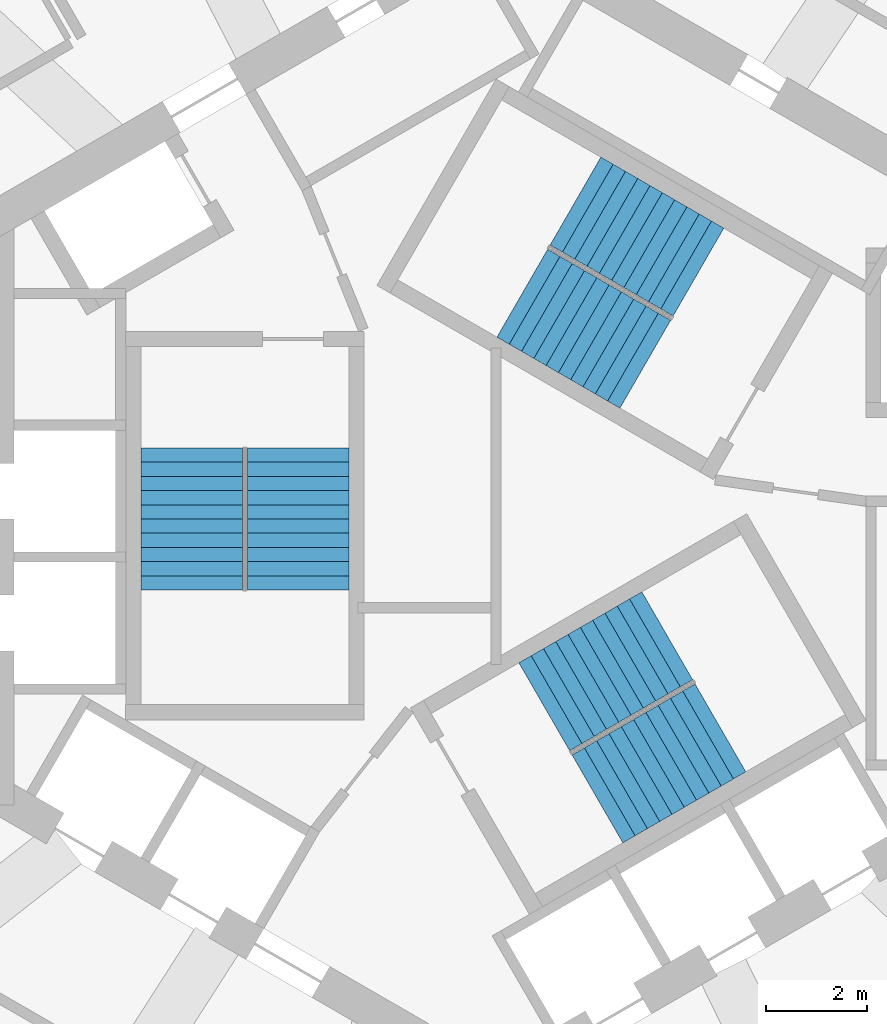
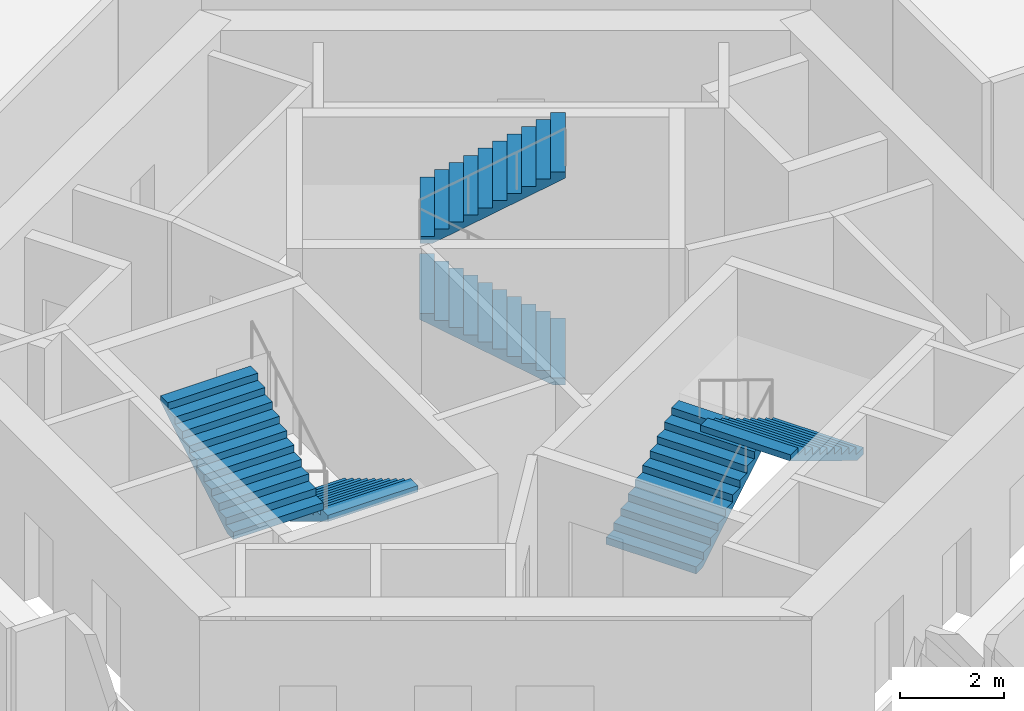
# One storey, part 8 of 10: 6 stair flights, 3 elements without a shape of their own.
"""IFC4 building model written with IfcOpenShell, lengths in metres."""

from ifc_helpers import new_model, si_unit, direction, frame, origin, place, context, subcontext, project, spatial, triangles, source, transform, mapped, material, type_object, element, aggregate, save


model = new_model("IFC4")

# Units and contexts
model_context = context("Model", 3, precision=1e-05, world=origin(), true_north=direction((0.0, 1.0)))
body_context = subcontext(model_context, "Body", "Model", "MODEL_VIEW")
ifc_project = project(units=[si_unit("LENGTHUNIT", "METRE"), si_unit("AREAUNIT", "SQUARE_METRE"), si_unit("VOLUMEUNIT", "CUBIC_METRE"), si_unit("PLANEANGLEUNIT", "RADIAN"), si_unit("MASSUNIT", "GRAM", prefix="KILO")], contexts=[model_context])

# Site, building, storey
site_placement = place(None, origin())
site = spatial("IfcSite", under=ifc_project, at=site_placement, CompositionType="ELEMENT")
building_placement = place(site_placement, origin())
building = spatial("IfcBuilding", under=site, at=building_placement, Name="Vanh Sen Convention Tower", CompositionType="ELEMENT")
storey_placement = place(building_placement, frame((0.0, 0.0, 267.199951171875)))
storey = spatial("IfcBuildingStorey", under=building, at=storey_placement, Name="L66", CompositionType="ELEMENT", Elevation=267.199951171875)

# Stair, stair flights
ifc_material_1 = material(Name="Concrete C50/60", Category="concrete")
stair_type_1 = type_object("IfcStairType", Name="Exit stair ST1 22 risers at 168.2", PredefinedType="HALF_TURN_STAIR", material=ifc_material_1)
stair_1_placement = place(storey_placement, origin())
stair_1 = element("IfcStair", 1, at=stair_1_placement, inside=storey, type_object=stair_type_1, Name="Exit stair ST1 L66", PredefinedType="HALF_TURN_STAIR")
ifc_material_2 = material(Name="Concrete C40/50", Category="concrete")
stair_flight_type = type_object("IfcStairFlightType", Name="Stair flight 2000", PredefinedType="STRAIGHT", material=ifc_material_2)
shared_shape = source(origin(), body_context, "Body", "Tessellation", [
    triangles([(0.24267578125, 1.0, 0.0), (0.0, 1.0, 0.0), (0.0, 1.0, 0.168212890625), (0.280029296875, 1.0, 0.168212890625), (0.280029296875, 1.0, 0.33642578125), (0.56005859375, 1.0, 0.33642578125), (0.56005859375, 1.0, 0.504638671875), (0.840087890625, 1.0, 0.504638671875), (0.840087890625, 1.0, 0.672607421875), (1.1201171875, 1.0, 0.672607421875), (1.1201171875, 1.0, 0.8408203125), (1.39990234375, 1.0, 0.8408203125), (1.39990234375, 1.0, 1.009033203125), (1.679931640625, 1.0, 1.009033203125), (1.679931640625, 1.0, 1.17724609375), (1.9599609375, 1.0, 1.17724609375), (1.9599609375, 1.0, 1.345458984375), (2.239990234375, 1.0, 1.345458984375), (2.239990234375, 1.0, 1.513671875), (2.52001953125, 1.0, 1.513671875), (2.52001953125, 1.0, 1.681884765625), (2.800048828125, 1.0, 1.681884765625), (2.800048828125, 1.0, 1.535888671875), (0.24267578125, -1.0, 0.0), (0.0, -1.0, 0.0), (0.0, -1.0, 0.168212890625), (0.280029296875, -1.0, 0.168212890625), (0.280029296875, -1.0, 0.33642578125), (0.56005859375, -1.0, 0.33642578125), (0.56005859375, -1.0, 0.504638671875), (0.840087890625, -1.0, 0.504638671875), (0.840087890625, -1.0, 0.672607421875), (1.1201171875, -1.0, 0.672607421875), (1.1201171875, -1.0, 0.8408203125), (1.39990234375, -1.0, 0.8408203125), (1.39990234375, -1.0, 1.009033203125), (1.679931640625, -1.0, 1.009033203125), (1.679931640625, -1.0, 1.17724609375), (1.9599609375, -1.0, 1.17724609375), (1.9599609375, -1.0, 1.345458984375), (2.239990234375, -1.0, 1.345458984375), (2.239990234375, -1.0, 1.513671875), (2.52001953125, -1.0, 1.513671875), (2.52001953125, -1.0, 1.681884765625), (2.800048828125, -1.0, 1.681884765625), (2.800048828125, -1.0, 1.535888671875), (0.0, 0.0400390625, 0.0), (0.0, 0.0390625, 0.0), (0.0, 0.0380859375, 0.0), (0.0, 0.037109375, 0.0), (0.0, 0.035888671875, 0.0), (0.0, 0.034912109375, 0.0), (0.0, 0.033935546875, 0.0), (0.0, 0.032958984375, 0.0), (0.0, 0.031982421875, 0.0), (0.0, 0.031005859375, 0.0), (0.0, 0.030029296875, 0.0), (0.0, 0.029052734375, 0.0), (0.0, 0.028076171875, 0.0), (0.0, 0.027099609375, 0.0), (0.0, 0.02587890625, 0.0), (0.0, 0.02490234375, 0.0), (0.0, 0.02392578125, 0.0), (0.0, 0.02294921875, 0.0), (0.0, 0.02197265625, 0.0), (0.0, 0.02099609375, 0.0), (0.0, 0.02001953125, 0.0), (0.0, 0.01904296875, 0.0), (0.0, 0.01806640625, 0.0), (0.0, 0.01708984375, 0.0), (0.0, 0.01611328125, 0.0), (0.0, 0.014892578125, 0.0), (0.0, 0.013916015625, 0.0), (0.0, 0.012939453125, 0.0), (0.0, 0.011962890625, 0.0), (0.0, 0.010986328125, 0.0), (0.0, 0.010009765625, 0.0), (0.0, 0.009033203125, 0.0), (0.0, 0.008056640625, 0.0), (0.0, 0.007080078125, 0.0), (0.0, 0.006103515625, 0.0), (0.0, 0.0048828125, 0.0), (0.0, 0.00390625, 0.0), (0.0, 0.0029296875, 0.0), (0.0, 0.001953125, 0.0), (0.0, 0.0009765625, 0.0), (0.0, 0.0, 0.0), (0.0, -0.0009765625, 0.0), (0.0, -0.001953125, 0.0), (0.0, -0.0029296875, 0.0), (0.0, -0.00390625, 0.0), (0.0, -0.0048828125, 0.0), (0.0, -0.006103515625, 0.0), (0.0, -0.007080078125, 0.0), (0.0, -0.008056640625, 0.0), (0.0, -0.009033203125, 0.0), (0.0, -0.010009765625, 0.0), (0.0, -0.010986328125, 0.0), (0.0, -0.011962890625, 0.0), (0.0, -0.012939453125, 0.0), (0.0, -0.013916015625, 0.0), (0.0, -0.014892578125, 0.0), (0.0, -0.01611328125, 0.0), (0.0, -0.01708984375, 0.0), (0.0, -0.01806640625, 0.0), (0.0, -0.01904296875, 0.0), (0.0, -0.02001953125, 0.0), (0.0, -0.02099609375, 0.0), (0.0, -0.02197265625, 0.0), (0.0, -0.02294921875, 0.0), (0.0, -0.02392578125, 0.0), (0.0, -0.02490234375, 0.0), (0.0, -0.02587890625, 0.0), (0.0, -0.027099609375, 0.0), (0.0, -0.028076171875, 0.0), (0.0, -0.029052734375, 0.0), (0.0, -0.030029296875, 0.0), (0.0, -0.031005859375, 0.0), (0.0, -0.031982421875, 0.0), (0.0, -0.032958984375, 0.0), (0.0, -0.033935546875, 0.0), (0.0, -0.034912109375, 0.0), (0.0, -0.035888671875, 0.0), (0.0, -0.037109375, 0.0), (0.0, -0.0380859375, 0.0), (0.0, -0.0390625, 0.0), (0.0, -0.0400390625, 0.0), (0.0, 0.0400390625, 0.168212890625), (0.0, 0.0390625, 0.168212890625), (0.0, 0.0380859375, 0.168212890625), (0.0, 0.037109375, 0.168212890625), (0.0, 0.035888671875, 0.168212890625), (0.0, 0.034912109375, 0.168212890625), (0.0, 0.033935546875, 0.168212890625), (0.0, 0.032958984375, 0.168212890625), (0.0, 0.031982421875, 0.168212890625), (0.0, 0.031005859375, 0.168212890625), (0.0, 0.030029296875, 0.168212890625), (0.0, 0.029052734375, 0.168212890625), (0.0, 0.028076171875, 0.168212890625), (0.0, 0.027099609375, 0.168212890625), (0.0, 0.02587890625, 0.168212890625), (0.0, 0.02490234375, 0.168212890625), (0.0, 0.02392578125, 0.168212890625), (0.0, 0.02294921875, 0.168212890625), (0.0, 0.02197265625, 0.168212890625), (0.0, 0.02099609375, 0.168212890625), (0.0, 0.02001953125, 0.168212890625), (0.0, 0.01904296875, 0.168212890625), (0.0, 0.01806640625, 0.168212890625), (0.0, 0.01708984375, 0.168212890625), (0.0, 0.01611328125, 0.168212890625), (0.0, 0.014892578125, 0.168212890625), (0.0, 0.013916015625, 0.168212890625), (0.0, 0.012939453125, 0.168212890625), (0.0, 0.011962890625, 0.168212890625), (0.0, 0.010986328125, 0.168212890625), (0.0, 0.010009765625, 0.168212890625), (0.0, 0.009033203125, 0.168212890625), (0.0, 0.008056640625, 0.168212890625), (0.0, 0.007080078125, 0.168212890625), (0.0, 0.006103515625, 0.168212890625), (0.0, 0.0048828125, 0.168212890625), (0.0, 0.00390625, 0.168212890625), (0.0, 0.0029296875, 0.168212890625), (0.0, 0.001953125, 0.168212890625), (0.0, 0.0009765625, 0.168212890625), (0.0, 0.0, 0.168212890625), (0.0, -0.0009765625, 0.168212890625), (0.0, -0.001953125, 0.168212890625), (0.0, -0.0029296875, 0.168212890625), (0.0, -0.00390625, 0.168212890625), (0.0, -0.0048828125, 0.168212890625), (0.0, -0.006103515625, 0.168212890625), (0.0, -0.007080078125, 0.168212890625), (0.0, -0.008056640625, 0.168212890625), (0.0, -0.009033203125, 0.168212890625), (0.0, -0.010009765625, 0.168212890625), (0.0, -0.010986328125, 0.168212890625), (0.0, -0.011962890625, 0.168212890625), (0.0, -0.012939453125, 0.168212890625), (0.0, -0.013916015625, 0.168212890625), (0.0, -0.014892578125, 0.168212890625), (0.0, -0.01611328125, 0.168212890625), (0.0, -0.01708984375, 0.168212890625), (0.0, -0.01806640625, 0.168212890625), (0.0, -0.01904296875, 0.168212890625), (0.0, -0.02001953125, 0.168212890625), (0.0, -0.02099609375, 0.168212890625), (0.0, -0.02197265625, 0.168212890625), (0.0, -0.02294921875, 0.168212890625), (0.0, -0.02392578125, 0.168212890625), (0.0, -0.02490234375, 0.168212890625), (0.0, -0.02587890625, 0.168212890625), (0.0, -0.027099609375, 0.168212890625), (0.0, -0.028076171875, 0.168212890625), (0.0, -0.029052734375, 0.168212890625), (0.0, -0.030029296875, 0.168212890625), (0.0, -0.031005859375, 0.168212890625), (0.0, -0.031982421875, 0.168212890625), (0.0, -0.032958984375, 0.168212890625), (0.0, -0.033935546875, 0.168212890625), (0.0, -0.034912109375, 0.168212890625), (0.0, -0.035888671875, 0.168212890625), (0.0, -0.037109375, 0.168212890625), (0.0, -0.0380859375, 0.168212890625), (0.0, -0.0390625, 0.168212890625), (0.0, -0.0400390625, 0.168212890625), (0.280029296875, 0.0, 0.168212890625), (0.280029296875, 0.0, 0.33642578125), (0.56005859375, 0.0, 0.33642578125), (0.56005859375, 0.0, 0.504638671875), (0.840087890625, 0.0, 0.504638671875), (0.840087890625, 0.0, 0.672607421875), (1.1201171875, 0.0, 0.672607421875), (1.1201171875, 0.0, 0.8408203125), (1.39990234375, 0.0, 0.8408203125), (1.39990234375, 0.0, 1.009033203125), (1.679931640625, 0.0, 1.009033203125), (1.679931640625, 0.0, 1.17724609375), (1.9599609375, 0.0, 1.17724609375), (1.9599609375, 0.0, 1.345458984375), (2.239990234375, 0.0, 1.345458984375), (2.239990234375, 0.0, 1.513671875), (2.52001953125, 0.0, 1.513671875), (2.52001953125, 0.0, 1.681884765625), (2.800048828125, 0.0400390625, 1.681884765625), (2.800048828125, 0.0390625, 1.681884765625), (2.800048828125, 0.0380859375, 1.681884765625), (2.800048828125, 0.037109375, 1.681884765625), (2.800048828125, 0.035888671875, 1.681884765625), (2.800048828125, 0.034912109375, 1.681884765625), (2.800048828125, 0.033935546875, 1.681884765625), (2.800048828125, 0.032958984375, 1.681884765625), (2.800048828125, 0.031982421875, 1.681884765625), (2.800048828125, 0.031005859375, 1.681884765625), (2.800048828125, 0.030029296875, 1.681884765625), (2.800048828125, 0.029052734375, 1.681884765625), (2.800048828125, 0.028076171875, 1.681884765625), (2.800048828125, 0.027099609375, 1.681884765625), (2.800048828125, 0.02587890625, 1.681884765625), (2.800048828125, 0.02490234375, 1.681884765625), (2.800048828125, 0.02392578125, 1.681884765625), (2.800048828125, 0.02294921875, 1.681884765625), (2.800048828125, 0.02197265625, 1.681884765625), (2.800048828125, 0.02099609375, 1.681884765625), (2.800048828125, 0.02001953125, 1.681884765625), (2.800048828125, 0.01904296875, 1.681884765625), (2.800048828125, 0.01806640625, 1.681884765625), (2.800048828125, 0.01708984375, 1.681884765625), (2.800048828125, 0.01611328125, 1.681884765625), (2.800048828125, 0.014892578125, 1.681884765625), (2.800048828125, 0.013916015625, 1.681884765625), (2.800048828125, 0.012939453125, 1.681884765625), (2.800048828125, 0.011962890625, 1.681884765625), (2.800048828125, 0.010986328125, 1.681884765625), (2.800048828125, 0.010009765625, 1.681884765625), (2.800048828125, 0.009033203125, 1.681884765625), (2.800048828125, 0.008056640625, 1.681884765625), (2.800048828125, 0.007080078125, 1.681884765625), (2.800048828125, 0.006103515625, 1.681884765625), (2.800048828125, 0.0048828125, 1.681884765625), (2.800048828125, 0.00390625, 1.681884765625), (2.800048828125, 0.0029296875, 1.681884765625), (2.800048828125, 0.001953125, 1.681884765625), (2.800048828125, 0.0009765625, 1.681884765625), (2.800048828125, 0.0, 1.681884765625), (2.800048828125, -0.0009765625, 1.681884765625), (2.800048828125, -0.001953125, 1.681884765625), (2.800048828125, -0.0029296875, 1.681884765625), (2.800048828125, -0.00390625, 1.681884765625), (2.800048828125, -0.0048828125, 1.681884765625), (2.800048828125, -0.006103515625, 1.681884765625), (2.800048828125, -0.007080078125, 1.681884765625), (2.800048828125, -0.008056640625, 1.681884765625), (2.800048828125, -0.009033203125, 1.681884765625), (2.800048828125, -0.010009765625, 1.681884765625), (2.800048828125, -0.010986328125, 1.681884765625), (2.800048828125, -0.011962890625, 1.681884765625), (2.800048828125, -0.012939453125, 1.681884765625), (2.800048828125, -0.013916015625, 1.681884765625), (2.800048828125, -0.014892578125, 1.681884765625), (2.800048828125, -0.01611328125, 1.681884765625), (2.800048828125, -0.01708984375, 1.681884765625), (2.800048828125, -0.01806640625, 1.681884765625), (2.800048828125, -0.01904296875, 1.681884765625), (2.800048828125, -0.02001953125, 1.681884765625), (2.800048828125, -0.02099609375, 1.681884765625), (2.800048828125, -0.02197265625, 1.681884765625), (2.800048828125, -0.02294921875, 1.681884765625), (2.800048828125, -0.02392578125, 1.681884765625), (2.800048828125, -0.02490234375, 1.681884765625), (2.800048828125, -0.02587890625, 1.681884765625), (2.800048828125, -0.027099609375, 1.681884765625), (2.800048828125, -0.028076171875, 1.681884765625), (2.800048828125, -0.029052734375, 1.681884765625), (2.800048828125, -0.030029296875, 1.681884765625), (2.800048828125, -0.031005859375, 1.681884765625), (2.800048828125, -0.031982421875, 1.681884765625), (2.800048828125, -0.032958984375, 1.681884765625), (2.800048828125, -0.033935546875, 1.681884765625), (2.800048828125, -0.034912109375, 1.681884765625), (2.800048828125, -0.035888671875, 1.681884765625), (2.800048828125, -0.037109375, 1.681884765625), (2.800048828125, -0.0380859375, 1.681884765625), (2.800048828125, -0.0390625, 1.681884765625), (2.800048828125, -0.0400390625, 1.681884765625), (2.800048828125, 0.0400390625, 1.535888671875), (2.800048828125, 0.0390625, 1.535888671875), (2.800048828125, 0.0380859375, 1.535888671875), (2.800048828125, 0.037109375, 1.535888671875), (2.800048828125, 0.035888671875, 1.535888671875), (2.800048828125, 0.034912109375, 1.535888671875), (2.800048828125, 0.033935546875, 1.535888671875), (2.800048828125, 0.032958984375, 1.535888671875), (2.800048828125, 0.031982421875, 1.535888671875), (2.800048828125, 0.031005859375, 1.535888671875), (2.800048828125, 0.030029296875, 1.535888671875), (2.800048828125, 0.029052734375, 1.535888671875), (2.800048828125, 0.028076171875, 1.535888671875), (2.800048828125, 0.027099609375, 1.535888671875), (2.800048828125, 0.02587890625, 1.535888671875), (2.800048828125, 0.02490234375, 1.535888671875), (2.800048828125, 0.02392578125, 1.535888671875), (2.800048828125, 0.02294921875, 1.535888671875), (2.800048828125, 0.02197265625, 1.535888671875), (2.800048828125, 0.02099609375, 1.535888671875), (2.800048828125, 0.02001953125, 1.535888671875), (2.800048828125, 0.01904296875, 1.535888671875), (2.800048828125, 0.01806640625, 1.535888671875), (2.800048828125, 0.01708984375, 1.535888671875), (2.800048828125, 0.01611328125, 1.535888671875), (2.800048828125, 0.014892578125, 1.535888671875), (2.800048828125, 0.013916015625, 1.535888671875), (2.800048828125, 0.012939453125, 1.535888671875), (2.800048828125, 0.011962890625, 1.535888671875), (2.800048828125, 0.010986328125, 1.535888671875), (2.800048828125, 0.010009765625, 1.535888671875), (2.800048828125, 0.009033203125, 1.535888671875), (2.800048828125, 0.008056640625, 1.535888671875), (2.800048828125, 0.007080078125, 1.535888671875), (2.800048828125, 0.006103515625, 1.535888671875), (2.800048828125, 0.0048828125, 1.535888671875), (2.800048828125, 0.00390625, 1.535888671875), (2.800048828125, 0.0029296875, 1.535888671875), (2.800048828125, 0.001953125, 1.535888671875), (2.800048828125, 0.0009765625, 1.535888671875), (2.800048828125, 0.0, 1.535888671875), (2.800048828125, -0.0009765625, 1.535888671875), (2.800048828125, -0.001953125, 1.535888671875), (2.800048828125, -0.0029296875, 1.535888671875), (2.800048828125, -0.00390625, 1.535888671875), (2.800048828125, -0.0048828125, 1.535888671875), (2.800048828125, -0.006103515625, 1.535888671875), (2.800048828125, -0.007080078125, 1.535888671875), (2.800048828125, -0.008056640625, 1.535888671875), (2.800048828125, -0.009033203125, 1.535888671875), (2.800048828125, -0.010009765625, 1.535888671875), (2.800048828125, -0.010986328125, 1.535888671875), (2.800048828125, -0.011962890625, 1.535888671875), (2.800048828125, -0.012939453125, 1.535888671875), (2.800048828125, -0.013916015625, 1.535888671875), (2.800048828125, -0.014892578125, 1.535888671875), (2.800048828125, -0.01611328125, 1.535888671875), (2.800048828125, -0.01708984375, 1.535888671875), (2.800048828125, -0.01806640625, 1.535888671875), (2.800048828125, -0.01904296875, 1.535888671875), (2.800048828125, -0.02001953125, 1.535888671875), (2.800048828125, -0.02099609375, 1.535888671875), (2.800048828125, -0.02197265625, 1.535888671875), (2.800048828125, -0.02294921875, 1.535888671875), (2.800048828125, -0.02392578125, 1.535888671875), (2.800048828125, -0.02490234375, 1.535888671875), (2.800048828125, -0.02587890625, 1.535888671875), (2.800048828125, -0.027099609375, 1.535888671875), (2.800048828125, -0.028076171875, 1.535888671875), (2.800048828125, -0.029052734375, 1.535888671875), (2.800048828125, -0.030029296875, 1.535888671875), (2.800048828125, -0.031005859375, 1.535888671875), (2.800048828125, -0.031982421875, 1.535888671875), (2.800048828125, -0.032958984375, 1.535888671875), (2.800048828125, -0.033935546875, 1.535888671875), (2.800048828125, -0.034912109375, 1.535888671875), (2.800048828125, -0.035888671875, 1.535888671875), (2.800048828125, -0.037109375, 1.535888671875), (2.800048828125, -0.0380859375, 1.535888671875), (2.800048828125, -0.0390625, 1.535888671875), (2.800048828125, -0.0400390625, 1.535888671875), (0.24267578125, 0.0, 0.0)], [[1, 2, 3], [1, 3, 4], [4, 5, 6], [1, 4, 6], [6, 7, 8], [1, 6, 8], [8, 9, 10], [1, 8, 10], [10, 11, 12], [1, 10, 12], [12, 13, 14], [1, 12, 14], [14, 15, 16], [1, 14, 16], [16, 17, 18], [1, 16, 18], [18, 19, 20], [1, 18, 20], [20, 21, 22], [1, 20, 22], [22, 23, 1], [24, 26, 25], [24, 27, 26], [27, 29, 28], [24, 29, 27], [29, 31, 30], [24, 31, 29], [31, 33, 32], [24, 33, 31], [33, 35, 34], [24, 35, 33], [35, 37, 36], [24, 37, 35], [37, 39, 38], [24, 39, 37], [39, 41, 40], [24, 41, 39], [41, 43, 42], [24, 43, 41], [43, 45, 44], [24, 45, 43], [45, 24, 46], [2, 128, 3], [2, 47, 128], [47, 129, 128], [47, 48, 129], [48, 130, 129], [48, 49, 130], [49, 131, 130], [49, 50, 131], [50, 132, 131], [50, 51, 132], [51, 133, 132], [51, 52, 133], [52, 134, 133], [52, 53, 134], [53, 135, 134], [53, 54, 135], [54, 136, 135], [54, 55, 136], [55, 137, 136], [55, 56, 137], [56, 138, 137], [56, 57, 138], [57, 139, 138], [57, 58, 139], [58, 140, 139], [58, 59, 140], [59, 141, 140], [59, 60, 141], [60, 142, 141], [60, 61, 142], [61, 143, 142], [61, 62, 143], [62, 144, 143], [62, 63, 144], [63, 145, 144], [63, 64, 145], [64, 146, 145], [64, 65, 146], [65, 147, 146], [65, 66, 147], [66, 148, 147], [66, 67, 148], [67, 149, 148], [67, 68, 149], [68, 150, 149], [68, 69, 150], [69, 151, 150], [69, 70, 151], [70, 152, 151], [70, 71, 152], [71, 153, 152], [71, 72, 153], [72, 154, 153], [72, 73, 154], [73, 155, 154], [73, 74, 155], [74, 156, 155], [74, 75, 156], [75, 157, 156], [75, 76, 157], [76, 158, 157], [76, 77, 158], [77, 159, 158], [77, 78, 159], [78, 160, 159], [78, 79, 160], [79, 161, 160], [79, 80, 161], [80, 162, 161], [80, 81, 162], [81, 163, 162], [81, 82, 163], [82, 164, 163], [82, 83, 164], [83, 165, 164], [83, 84, 165], [84, 166, 165], [84, 85, 166], [85, 167, 166], [85, 86, 167], [86, 168, 167], [86, 87, 168], [87, 88, 168], [168, 88, 169], [88, 89, 169], [169, 89, 170], [89, 90, 170], [170, 90, 171], [90, 91, 171], [171, 91, 172], [91, 92, 172], [172, 92, 173], [92, 93, 173], [173, 93, 174], [93, 94, 174], [174, 94, 175], [94, 95, 175], [175, 95, 176], [95, 96, 176], [176, 96, 177], [96, 97, 177], [177, 97, 178], [97, 98, 178], [178, 98, 179], [98, 99, 179], [179, 99, 180], [99, 100, 180], [180, 100, 181], [100, 101, 181], [181, 101, 182], [101, 102, 182], [182, 102, 183], [102, 103, 183], [183, 103, 184], [103, 104, 184], [184, 104, 185], [104, 105, 185], [185, 105, 186], [105, 106, 186], [186, 106, 187], [106, 107, 187], [187, 107, 188], [107, 108, 188], [188, 108, 189], [108, 109, 189], [189, 109, 190], [109, 110, 190], [190, 110, 191], [110, 111, 191], [191, 111, 192], [111, 112, 192], [192, 112, 193], [112, 113, 193], [193, 113, 194], [113, 114, 194], [194, 114, 195], [114, 115, 195], [195, 115, 196], [115, 116, 196], [196, 116, 197], [116, 117, 197], [197, 117, 198], [117, 118, 198], [198, 118, 199], [118, 119, 199], [199, 119, 200], [119, 120, 200], [200, 120, 201], [120, 121, 201], [201, 121, 202], [121, 122, 202], [202, 122, 203], [122, 123, 203], [203, 123, 204], [123, 124, 204], [204, 124, 205], [124, 125, 205], [205, 125, 206], [125, 126, 206], [206, 126, 207], [126, 127, 207], [207, 127, 208], [127, 25, 208], [208, 25, 26], [4, 3, 128], [4, 128, 129], [4, 129, 130], [4, 130, 131], [4, 131, 132], [4, 132, 133], [4, 133, 134], [4, 134, 135], [4, 135, 136], [4, 136, 137], [4, 137, 138], [4, 138, 139], [4, 139, 140], [4, 140, 141], [4, 141, 142], [4, 142, 143], [4, 143, 144], [4, 144, 145], [4, 145, 146], [4, 146, 147], [4, 147, 148], [4, 148, 149], [4, 149, 150], [4, 150, 151], [4, 151, 152], [4, 152, 153], [4, 153, 154], [4, 154, 155], [4, 155, 156], [4, 156, 157], [4, 157, 158], [4, 158, 159], [4, 159, 160], [4, 160, 161], [4, 161, 162], [4, 162, 163], [4, 163, 164], [4, 164, 165], [4, 165, 166], [4, 166, 167], [4, 167, 168], [27, 168, 169], [27, 169, 170], [27, 170, 171], [27, 171, 172], [27, 172, 173], [27, 173, 174], [27, 174, 175], [27, 175, 176], [27, 176, 177], [27, 177, 178], [27, 178, 179], [27, 179, 180], [27, 180, 181], [27, 181, 182], [27, 182, 183], [27, 183, 184], [27, 184, 185], [27, 185, 186], [27, 186, 187], [27, 187, 188], [27, 188, 189], [27, 189, 190], [27, 190, 191], [27, 191, 192], [27, 192, 193], [27, 193, 194], [27, 194, 195], [27, 195, 196], [27, 196, 197], [27, 197, 198], [27, 198, 199], [27, 199, 200], [27, 200, 201], [27, 201, 202], [27, 202, 203], [27, 203, 204], [27, 204, 205], [27, 205, 206], [27, 206, 207], [27, 207, 208], [27, 208, 26], [4, 168, 209], [27, 209, 168], [4, 210, 5], [4, 209, 210], [209, 27, 210], [210, 27, 28], [5, 211, 6], [5, 210, 211], [210, 28, 211], [211, 28, 29], [6, 212, 7], [6, 211, 212], [211, 29, 212], [212, 29, 30], [7, 213, 8], [7, 212, 213], [212, 30, 213], [213, 30, 31], [8, 214, 9], [8, 213, 214], [213, 31, 214], [214, 31, 32], [9, 215, 10], [9, 214, 215], [214, 32, 215], [215, 32, 33], [10, 216, 11], [10, 215, 216], [215, 33, 216], [216, 33, 34], [11, 217, 12], [11, 216, 217], [216, 34, 217], [217, 34, 35], [12, 218, 13], [12, 217, 218], [217, 35, 218], [218, 35, 36], [13, 219, 14], [13, 218, 219], [218, 36, 219], [219, 36, 37], [14, 220, 15], [14, 219, 220], [219, 37, 220], [220, 37, 38], [15, 221, 16], [15, 220, 221], [220, 38, 221], [221, 38, 39], [16, 222, 17], [16, 221, 222], [221, 39, 222], [222, 39, 40], [17, 223, 18], [17, 222, 223], [222, 40, 223], [223, 40, 41], [18, 224, 19], [18, 223, 224], [223, 41, 224], [224, 41, 42], [19, 225, 20], [19, 224, 225], [224, 42, 225], [225, 42, 43], [20, 226, 21], [20, 225, 226], [225, 43, 226], [226, 43, 44], [21, 227, 22], [21, 228, 227], [21, 229, 228], [21, 230, 229], [21, 231, 230], [21, 232, 231], [21, 233, 232], [21, 234, 233], [21, 235, 234], [21, 236, 235], [21, 237, 236], [21, 238, 237], [21, 239, 238], [21, 240, 239], [21, 241, 240], [21, 242, 241], [21, 243, 242], [21, 244, 243], [21, 245, 244], [21, 246, 245], [21, 247, 246], [21, 248, 247], [21, 249, 248], [21, 250, 249], [21, 251, 250], [21, 252, 251], [21, 253, 252], [21, 254, 253], [21, 255, 254], [21, 256, 255], [21, 257, 256], [21, 258, 257], [21, 259, 258], [21, 260, 259], [21, 261, 260], [21, 262, 261], [21, 263, 262], [21, 264, 263], [21, 265, 264], [21, 266, 265], [21, 267, 266], [44, 268, 267], [44, 269, 268], [44, 270, 269], [44, 271, 270], [44, 272, 271], [44, 273, 272], [44, 274, 273], [44, 275, 274], [44, 276, 275], [44, 277, 276], [44, 278, 277], [44, 279, 278], [44, 280, 279], [44, 281, 280], [44, 282, 281], [44, 283, 282], [44, 284, 283], [44, 285, 284], [44, 286, 285], [44, 287, 286], [44, 288, 287], [44, 289, 288], [44, 290, 289], [44, 291, 290], [44, 292, 291], [44, 293, 292], [44, 294, 293], [44, 295, 294], [44, 296, 295], [44, 297, 296], [44, 298, 297], [44, 299, 298], [44, 300, 299], [44, 301, 300], [44, 302, 301], [44, 303, 302], [44, 304, 303], [44, 305, 304], [44, 306, 305], [44, 307, 306], [44, 45, 307], [21, 226, 267], [44, 267, 226], [22, 308, 23], [22, 227, 308], [227, 309, 308], [227, 228, 309], [228, 310, 309], [228, 229, 310], [229, 311, 310], [229, 230, 311], [230, 312, 311], [230, 231, 312], [231, 313, 312], [231, 232, 313], [232, 314, 313], [232, 233, 314], [233, 315, 314], [233, 234, 315], [234, 316, 315], [234, 235, 316], [235, 317, 316], [235, 236, 317], [236, 318, 317], [236, 237, 318], [237, 319, 318], [237, 238, 319], [238, 320, 319], [238, 239, 320], [239, 321, 320], [239, 240, 321], [240, 322, 321], [240, 241, 322], [241, 323, 322], [241, 242, 323], [242, 324, 323], [242, 243, 324], [243, 325, 324], [243, 244, 325], [244, 326, 325], [244, 245, 326], [245, 327, 326], [245, 246, 327], [246, 328, 327], [246, 247, 328], [247, 329, 328], [247, 248, 329], [248, 330, 329], [248, 249, 330], [249, 331, 330], [249, 250, 331], [250, 332, 331], [250, 251, 332], [251, 333, 332], [251, 252, 333], [252, 334, 333], [252, 253, 334], [253, 335, 334], [253, 254, 335], [254, 336, 335], [254, 255, 336], [255, 337, 336], [255, 256, 337], [256, 338, 337], [256, 257, 338], [257, 339, 338], [257, 258, 339], [258, 340, 339], [258, 259, 340], [259, 341, 340], [259, 260, 341], [260, 342, 341], [260, 261, 342], [261, 343, 342], [261, 262, 343], [262, 344, 343], [262, 263, 344], [263, 345, 344], [263, 264, 345], [264, 346, 345], [264, 265, 346], [265, 347, 346], [265, 266, 347], [266, 348, 347], [266, 267, 348], [267, 268, 348], [348, 268, 349], [268, 269, 349], [349, 269, 350], [269, 270, 350], [350, 270, 351], [270, 271, 351], [351, 271, 352], [271, 272, 352], [352, 272, 353], [272, 273, 353], [353, 273, 354], [273, 274, 354], [354, 274, 355], [274, 275, 355], [355, 275, 356], [275, 276, 356], [356, 276, 357], [276, 277, 357], [357, 277, 358], [277, 278, 358], [358, 278, 359], [278, 279, 359], [359, 279, 360], [279, 280, 360], [360, 280, 361], [280, 281, 361], [361, 281, 362], [281, 282, 362], [362, 282, 363], [282, 283, 363], [363, 283, 364], [283, 284, 364], [364, 284, 365], [284, 285, 365], [365, 285, 366], [285, 286, 366], [366, 286, 367], [286, 287, 367], [367, 287, 368], [287, 288, 368], [368, 288, 369], [288, 289, 369], [369, 289, 370], [289, 290, 370], [370, 290, 371], [290, 291, 371], [371, 291, 372], [291, 292, 372], [372, 292, 373], [292, 293, 373], [373, 293, 374], [293, 294, 374], [374, 294, 375], [294, 295, 375], [375, 295, 376], [295, 296, 376], [376, 296, 377], [296, 297, 377], [377, 297, 378], [297, 298, 378], [378, 298, 379], [298, 299, 379], [379, 299, 380], [299, 300, 380], [380, 300, 381], [300, 301, 381], [381, 301, 382], [301, 302, 382], [382, 302, 383], [302, 303, 383], [383, 303, 384], [303, 304, 384], [384, 304, 385], [304, 305, 385], [385, 305, 386], [305, 306, 386], [386, 306, 387], [306, 307, 387], [387, 307, 388], [307, 45, 388], [388, 45, 46], [1, 23, 308], [1, 308, 309], [1, 309, 310], [1, 310, 311], [1, 311, 312], [1, 312, 313], [1, 313, 314], [1, 314, 315], [1, 315, 316], [1, 316, 317], [1, 317, 318], [1, 318, 319], [1, 319, 320], [1, 320, 321], [1, 321, 322], [1, 322, 323], [1, 323, 324], [1, 324, 325], [1, 325, 326], [1, 326, 327], [1, 327, 328], [1, 328, 329], [1, 329, 330], [1, 330, 331], [1, 331, 332], [1, 332, 333], [1, 333, 334], [1, 334, 335], [1, 335, 336], [1, 336, 337], [1, 337, 338], [1, 338, 339], [1, 339, 340], [1, 340, 341], [1, 341, 342], [1, 342, 343], [1, 343, 344], [1, 344, 345], [1, 345, 346], [1, 346, 347], [1, 347, 348], [24, 348, 349], [24, 349, 350], [24, 350, 351], [24, 351, 352], [24, 352, 353], [24, 353, 354], [24, 354, 355], [24, 355, 356], [24, 356, 357], [24, 357, 358], [24, 358, 359], [24, 359, 360], [24, 360, 361], [24, 361, 362], [24, 362, 363], [24, 363, 364], [24, 364, 365], [24, 365, 366], [24, 366, 367], [24, 367, 368], [24, 368, 369], [24, 369, 370], [24, 370, 371], [24, 371, 372], [24, 372, 373], [24, 373, 374], [24, 374, 375], [24, 375, 376], [24, 376, 377], [24, 377, 378], [24, 378, 379], [24, 379, 380], [24, 380, 381], [24, 381, 382], [24, 382, 383], [24, 383, 384], [24, 384, 385], [24, 385, 386], [24, 386, 387], [24, 387, 388], [24, 388, 46], [1, 348, 389], [24, 389, 348], [1, 47, 2], [1, 48, 47], [1, 49, 48], [1, 50, 49], [1, 51, 50], [1, 52, 51], [1, 53, 52], [1, 54, 53], [1, 55, 54], [1, 56, 55], [1, 57, 56], [1, 58, 57], [1, 59, 58], [1, 60, 59], [1, 61, 60], [1, 62, 61], [1, 63, 62], [1, 64, 63], [1, 65, 64], [1, 66, 65], [1, 67, 66], [1, 68, 67], [1, 69, 68], [1, 70, 69], [1, 71, 70], [1, 72, 71], [1, 73, 72], [1, 74, 73], [1, 75, 74], [1, 76, 75], [1, 77, 76], [1, 78, 77], [1, 79, 78], [1, 80, 79], [1, 81, 80], [1, 82, 81], [1, 83, 82], [1, 84, 83], [1, 85, 84], [1, 86, 85], [1, 87, 86], [24, 88, 87], [24, 89, 88], [24, 90, 89], [24, 91, 90], [24, 92, 91], [24, 93, 92], [24, 94, 93], [24, 95, 94], [24, 96, 95], [24, 97, 96], [24, 98, 97], [24, 99, 98], [24, 100, 99], [24, 101, 100], [24, 102, 101], [24, 103, 102], [24, 104, 103], [24, 105, 104], [24, 106, 105], [24, 107, 106], [24, 108, 107], [24, 109, 108], [24, 110, 109], [24, 111, 110], [24, 112, 111], [24, 113, 112], [24, 114, 113], [24, 115, 114], [24, 116, 115], [24, 117, 116], [24, 118, 117], [24, 119, 118], [24, 120, 119], [24, 121, 120], [24, 122, 121], [24, 123, 122], [24, 124, 123], [24, 125, 124], [24, 126, 125], [24, 127, 126], [24, 25, 127], [1, 389, 87], [24, 87, 389]], closed=True),
])
stair_flight_1_placement = place(storey_placement, frame((2.94580078125, 2.802490234375, 0.0), z_axis=(0.0, 0.0, 1.0), x_axis=(-0.866025403784, 0.5, 0.0)))
stair_flight_1 = element("IfcStairFlight", 2, at=stair_flight_1_placement, type_object=stair_flight_type, Name="ST1 flight 1", NumberOfRisers=11, NumberOfTreads=10, PredefinedType="STRAIGHT", RiserHeight=0.168181818, TreadLength=0.28, context=body_context, shape_type="MappedRepresentation", body=[
    mapped(shared_shape, transform((0.0, 0.0, 0.0))),
])
stair_flight_2_placement = place(storey_placement, frame((1.571044921875, 6.021240234375, 1.85009765625), z_axis=(0.0, 0.0, 1.0), x_axis=(0.866025403784, -0.5, 0.0)))
stair_flight_2 = element("IfcStairFlight", 3, at=stair_flight_2_placement, type_object=stair_flight_type, Name="ST1 flight 2", NumberOfRisers=11, NumberOfTreads=10, PredefinedType="STRAIGHT", RiserHeight=0.168181818, TreadLength=0.28, context=body_context, shape_type="MappedRepresentation", body=[
    mapped(shared_shape, transform((0.0, 0.0, 0.0))),
])
aggregate(stair_1, [stair_flight_1, stair_flight_2])

stair_type_2 = type_object("IfcStairType", Name="Exit stair ST2 22 risers at 168.2", PredefinedType="HALF_TURN_STAIR", material=ifc_material_1)
stair_2_placement = place(storey_placement, origin())
stair_2 = element("IfcStair", 4, at=stair_2_placement, inside=storey, type_object=stair_type_2, Name="Exit stair ST2 L66", PredefinedType="HALF_TURN_STAIR")
stair_flight_3_placement = place(storey_placement, frame((-3.89990234375, 1.14990234375, 0.0), z_axis=(0.0, 0.0, 1.0), x_axis=(0.0, -1.0, 0.0)))
stair_flight_3 = element("IfcStairFlight", 5, at=stair_flight_3_placement, type_object=stair_flight_type, Name="ST2 flight 1", NumberOfRisers=11, NumberOfTreads=10, PredefinedType="STRAIGHT", RiserHeight=0.168181818, TreadLength=0.28, context=body_context, shape_type="MappedRepresentation", body=[
    mapped(shared_shape, transform((0.0, 0.0, 0.0))),
])
stair_flight_4_placement = place(storey_placement, frame((-6.0, -1.64990234375, 1.85009765625), z_axis=(0.0, 0.0, 1.0), x_axis=(0.0, 1.0, 0.0)))
stair_flight_4 = element("IfcStairFlight", 6, at=stair_flight_4_placement, type_object=stair_flight_type, Name="ST2 flight 2", NumberOfRisers=11, NumberOfTreads=10, PredefinedType="STRAIGHT", RiserHeight=0.168181818, TreadLength=0.28, context=body_context, shape_type="MappedRepresentation", body=[
    mapped(shared_shape, transform((0.0, 0.0, 0.0))),
])
aggregate(stair_2, [stair_flight_3, stair_flight_4])

stair_type_3 = type_object("IfcStairType", Name="Exit stair ST3 22 risers at 168.2", PredefinedType="HALF_TURN_STAIR", material=ifc_material_1)
stair_3_placement = place(storey_placement, origin())
stair_3 = element("IfcStair", 7, at=stair_3_placement, inside=storey, type_object=stair_type_3, Name="Exit stair ST3 L66", PredefinedType="HALF_TURN_STAIR")
stair_flight_5_placement = place(storey_placement, frame((0.9541015625, -3.952392578125, 0.0), z_axis=(0.0, 0.0, 1.0), x_axis=(0.866025403784, 0.5, 0.0)))
stair_flight_5 = element("IfcStairFlight", 8, at=stair_flight_5_placement, type_object=stair_flight_type, Name="ST3 flight 1", NumberOfRisers=11, NumberOfTreads=10, PredefinedType="STRAIGHT", RiserHeight=0.168181818, TreadLength=0.28, context=body_context, shape_type="MappedRepresentation", body=[
    mapped(shared_shape, transform((0.0, 0.0, 0.0))),
])
stair_flight_6_placement = place(storey_placement, frame((4.428955078125, -4.37109375, 1.85009765625), z_axis=(0.0, 0.0, 1.0), x_axis=(-0.866025403784, -0.5, 0.0)))
stair_flight_6 = element("IfcStairFlight", 9, at=stair_flight_6_placement, type_object=stair_flight_type, Name="ST3 flight 2", NumberOfRisers=11, NumberOfTreads=10, PredefinedType="STRAIGHT", RiserHeight=0.168181818, TreadLength=0.28, context=body_context, shape_type="MappedRepresentation", body=[
    mapped(shared_shape, transform((0.0, 0.0, 0.0))),
])
aggregate(stair_3, [stair_flight_5, stair_flight_6])

save(model, "model.ifc")
